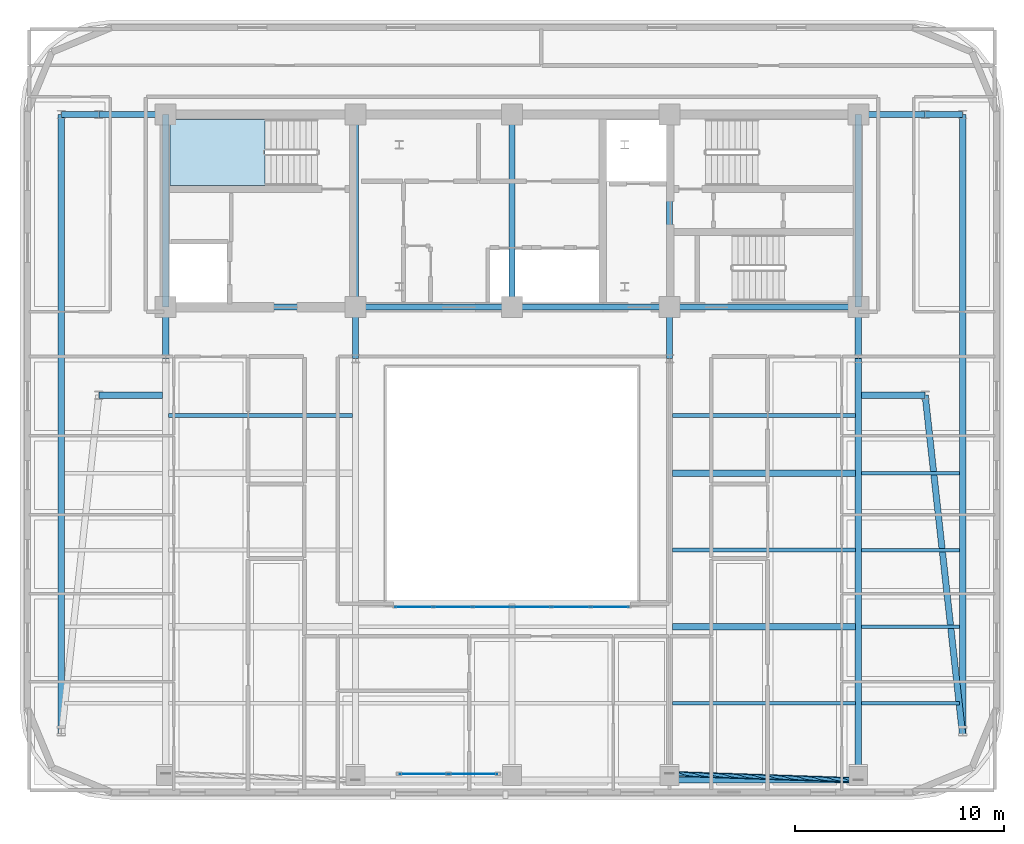
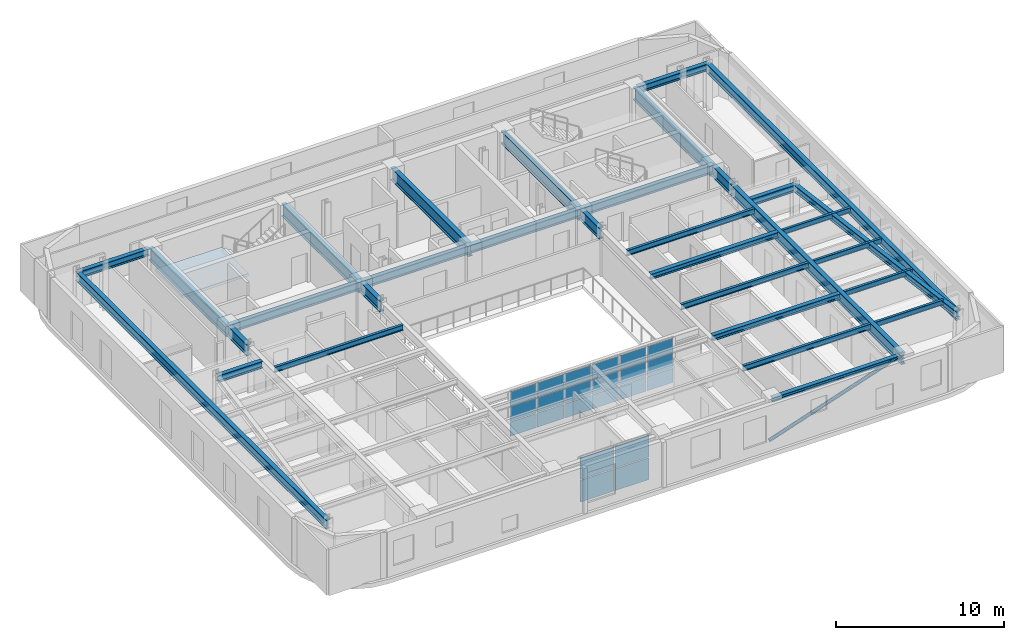
# One storey, part 3 of 14: 34 beams, 22 plates, 1 member, 1 slab, 3 elements without a shape of their own.
"""IFC4 building model written with IfcOpenShell, lengths in metres."""

from ifc_helpers import new_model, si_unit, direction, frame, origin, origin_2d, place, context, subcontext, project, spatial, polyline, rectangle, hollow_circle, i_section, outline, extrude, material, layer, layer_set, material_profile, profile_set, type_object, element, aggregate, save


model = new_model("IFC4")

# Units and contexts
model_context = context("Model", 3, precision=1e-05, world=origin(), true_north=direction((0.0, 1.0)))
body_context = subcontext(model_context, "Body", "Model", "MODEL_VIEW")
ifc_project = project(units=[si_unit("LENGTHUNIT", "METRE"), si_unit("AREAUNIT", "SQUARE_METRE"), si_unit("VOLUMEUNIT", "CUBIC_METRE"), si_unit("PLANEANGLEUNIT", "RADIAN"), si_unit("MASSUNIT", "GRAM", prefix="KILO")], contexts=[model_context])

# Site, building, storey
site_placement = place(None, origin())
site = spatial("IfcSite", under=ifc_project, at=site_placement, CompositionType="ELEMENT")
building_placement = place(site_placement, origin())
building = spatial("IfcBuilding", under=site, at=building_placement, Name="Zarnavel Station Tower", CompositionType="ELEMENT")
storey_placement = place(building_placement, frame((0.0, 0.0, 229.199951171875)))
storey = spatial("IfcBuildingStorey", under=building, at=storey_placement, Name="L62", CompositionType="ELEMENT", Elevation=229.199951171875)

# Member
ifc_material_1 = material(Name="Steel S355J2", Category="steel")
ifc_material_profile_1 = material_profile(ifc_material_1, hollow_circle(Radius=0.122314453125, WallThickness=0.010009765625, at=origin_2d()), Name="CHS244.5x10")
ifc_profile_set_1 = profile_set([ifc_material_profile_1], Name="Steel S355J2")
member_type = type_object("IfcMemberType", Name="DB_EXT_CHS245", PredefinedType="BRACE", material=ifc_profile_set_1)
member_placement = place(storey_placement, frame((36.35009765625, 5.4580078125, 0.0), z_axis=(0.937681259663, -0.031367345473, 0.3460779463), x_axis=(0.033433332735, 0.999440949863, 0.0)))
element("IfcMember", 1, at=member_placement, inside=storey, type_object=member_type, Name="L62 Persian Exterior Diagonal Frame Brace 2", PredefinedType="BRACE", context=body_context, shape_type="SweptSolid", body=[
    extrude(hollow_circle(Radius=0.122314453125, WallThickness=0.010009765625, at=origin_2d()), origin(), (0.0, 0.0, 1.0), 9.6513671875),
])

# Beams
ifc_material_2 = material(Name="Steel S355J2", Category="steel")
ifc_material_profile_2 = material_profile(ifc_material_2, i_section(OverallWidth=0.300048828125, OverallDepth=0.320068359375, WebThickness=0.011474609375, FlangeThickness=0.0205078125, FilletRadius=0.027099609375, at=origin_2d()), Name="HEB320")
ifc_profile_set_2 = profile_set([ifc_material_profile_2], Name="Steel S355J2")
beam_type_1 = type_object("IfcBeamType", Name="EB_HEB320", PredefinedType="SPANDREL", material=ifc_profile_set_2)
beam_1_placement = place(storey_placement, frame((36.35009765625, 5.1552734375, 3.179931640625), z_axis=(1.0, 0.0, 0.0), x_axis=(0.0, 1.0, 0.0)))
element("IfcBeam", 2, at=beam_1_placement, inside=storey, type_object=beam_type_1, Name="L62 South Raked Spandrel 4", PredefinedType="SPANDREL", context=body_context, shape_type="SweptSolid", body=[
    extrude(i_section(OverallWidth=0.300048828125, OverallDepth=0.320068359375, WebThickness=0.011474609375, FlangeThickness=0.0205078125, FilletRadius=0.027099609375, at=origin_2d()), origin(), (0.0, 0.0, 1.0), 9.0498046875),
])
ifc_material_3 = material(Name="Steel S355J2", Category="steel")
ifc_material_profile_3 = material_profile(ifc_material_3, i_section(OverallWidth=0.300048828125, OverallDepth=0.389892578125, WebThickness=0.010986328125, FlangeThickness=0.01904296875, FilletRadius=0.027099609375, at=origin_2d()), Name="HEA400")
ifc_profile_set_3 = profile_set([ifc_material_profile_3], Name="Steel S355J2")
beam_type_2 = type_object("IfcBeamType", Name="FB_HEA400", PredefinedType="BEAM", material=ifc_profile_set_3)
for number, where, z_axis, x_axis, name in (
    (3, (36.4951171875, 12.50341796875, 3.14501953125), (1.0, 0.0, 0.0), (0.0, 1.0, 0.0), "L62 East Bay Beam 2"),
    (4, (36.4951171875, 19.851806640625, 3.14501953125), (1.0, 0.0, 0.0), (0.0, 1.0, 0.0), "L62 East Bay Beam 4"),
):
    element("IfcBeam", number, at=place(storey_placement, frame(where, z_axis=z_axis, x_axis=x_axis)), inside=storey, type_object=beam_type_2, Name=name, PredefinedType="BEAM", context=body_context, shape_type="SweptSolid", body=[
        extrude(i_section(OverallWidth=0.300048828125, OverallDepth=0.389892578125, WebThickness=0.010986328125, FlangeThickness=0.01904296875, FilletRadius=0.027099609375, at=origin_2d()), origin(), (0.0, 0.0, 1.0), 8.759765625),
    ])
ifc_material_4 = material(Name="Steel S355J2", Category="steel")
ifc_material_profile_4 = material_profile(ifc_material_4, i_section(OverallWidth=0.179931640625, OverallDepth=0.39990234375, WebThickness=0.008544921875, FlangeThickness=0.013427734375, FilletRadius=0.02099609375, at=origin_2d()), Name="IPE400")
ifc_profile_set_4 = profile_set([ifc_material_profile_4], Name="Steel S355J2")
beam_type_3 = type_object("IfcBeamType", Name="FB_IPE400", PredefinedType="BEAM", material=ifc_profile_set_4)
for number, where, z_axis, x_axis, name in (
    (5, (36.4951171875, 8.829345703125, 3.14013671875), (1.0, 0.0, 0.0), (0.0, 1.0, 0.0), "L62 East Bay Beam 1"),
    (6, (36.4951171875, 16.177490234375, 3.14013671875), (1.0, 0.0, 0.0), (0.0, 1.0, 0.0), "L62 East Bay Beam 3"),
):
    element("IfcBeam", number, at=place(storey_placement, frame(where, z_axis=z_axis, x_axis=x_axis)), inside=storey, type_object=beam_type_3, Name=name, PredefinedType="BEAM", context=body_context, shape_type="SweptSolid", body=[
        extrude(i_section(OverallWidth=0.179931640625, OverallDepth=0.39990234375, WebThickness=0.008544921875, FlangeThickness=0.013427734375, FilletRadius=0.02099609375, at=origin_2d()), origin(), (0.0, 0.0, 1.0), 8.759765625),
    ])
beam_2_placement = place(storey_placement, frame((12.344970703125, 22.6259765625, 3.14013671875), z_axis=(1.0, 0.0, 0.0), x_axis=(0.0, 1.0, 0.0)))
element("IfcBeam", 7, at=beam_2_placement, inside=storey, type_object=beam_type_3, Name="L62 West Bay Beam 5", PredefinedType="BEAM", context=body_context, shape_type="SweptSolid", body=[
    extrude(i_section(OverallWidth=0.179931640625, OverallDepth=0.39990234375, WebThickness=0.008544921875, FlangeThickness=0.013427734375, FilletRadius=0.02099609375, at=origin_2d()), origin(), (0.0, 0.0, 1.0), 8.81005859375),
])
beam_3_placement = place(storey_placement, frame((36.4951171875, 22.6259765625, 3.14013671875), z_axis=(1.0, 0.0, 0.0), x_axis=(0.0, 1.0, 0.0)))
element("IfcBeam", 8, at=beam_3_placement, inside=storey, type_object=beam_type_3, Name="L62 East Bay Beam 5", PredefinedType="BEAM", context=body_context, shape_type="SweptSolid", body=[
    extrude(i_section(OverallWidth=0.179931640625, OverallDepth=0.39990234375, WebThickness=0.008544921875, FlangeThickness=0.013427734375, FilletRadius=0.02099609375, at=origin_2d()), origin(), (0.0, 0.0, 1.0), 8.759765625),
])
ifc_material_5 = material(Name="Steel S355J2", Category="steel")
ifc_material_profile_5 = material_profile(ifc_material_5, i_section(OverallWidth=0.300048828125, OverallDepth=0.5, WebThickness=0.014404296875, FlangeThickness=0.028076171875, FilletRadius=0.027099609375, at=origin_2d()), Name="HEB500")
ifc_profile_set_5 = profile_set([ifc_material_profile_5], Name="Steel S355J2")
beam_type_4 = type_object("IfcBeamType", Name="FG_HEB500", PredefinedType="USERDEFINED", material=ifc_profile_set_5)
beam_4_placement = place(storey_placement, frame((7.199951171875, 37.050048828125, 3.090087890625), z_axis=(1.0, 0.0, 0.0), x_axis=(0.0, 1.0, 0.0)))
element("IfcBeam", 9, at=beam_4_placement, inside=storey, type_object=beam_type_4, Name="L62 West Wing North Tie 1", ObjectType="GIRDER", PredefinedType="USERDEFINED", context=body_context, shape_type="SweptSolid", body=[
    extrude(i_section(OverallWidth=0.300048828125, OverallDepth=0.5, WebThickness=0.014404296875, FlangeThickness=0.028076171875, FilletRadius=0.027099609375, at=origin_2d()), origin(), (0.0, 0.0, 1.0), 1.800048828125),
])
for number, where, z_axis, x_axis, name in (
    (10, (9.0, 23.60009765625, 3.090087890625), (1.0, 0.0, 0.0), (0.0, 1.0, 0.0), "L62 West Wing South Tie 2"),
    (11, (9.0, 37.050048828125, 3.090087890625), (1.0, 0.0, 0.0), (0.0, 1.0, 0.0), "L62 West Wing North Tie 2"),
):
    element("IfcBeam", number, at=place(storey_placement, frame(where, z_axis=z_axis, x_axis=x_axis)), inside=storey, type_object=beam_type_4, Name=name, ObjectType="GIRDER", PredefinedType="USERDEFINED", context=body_context, shape_type="SweptSolid", body=[
        extrude(i_section(OverallWidth=0.300048828125, OverallDepth=0.5, WebThickness=0.014404296875, FlangeThickness=0.028076171875, FilletRadius=0.027099609375, at=origin_2d()), origin(), (0.0, 0.0, 1.0), 3.054931640625),
    ])
for number, where, z_axis, x_axis, name in (
    (12, (45.544921875, 23.60009765625, 3.090087890625), (1.0, 0.0, 0.0), (0.0, 1.0, 0.0), "L62 East Wing South Tie 1"),
    (13, (45.544921875, 37.050048828125, 3.090087890625), (1.0, 0.0, 0.0), (0.0, 1.0, 0.0), "L62 East Wing North Tie 1"),
):
    element("IfcBeam", number, at=place(storey_placement, frame(where, z_axis=z_axis, x_axis=x_axis)), inside=storey, type_object=beam_type_4, Name=name, ObjectType="GIRDER", PredefinedType="USERDEFINED", context=body_context, shape_type="SweptSolid", body=[
        extrude(i_section(OverallWidth=0.300048828125, OverallDepth=0.5, WebThickness=0.014404296875, FlangeThickness=0.028076171875, FilletRadius=0.027099609375, at=origin_2d()), origin(), (0.0, 0.0, 1.0), 3.05517578125),
    ])
beam_5_placement = place(storey_placement, frame((48.60009765625, 23.60009765625, 3.090087890625), z_axis=(0.109659257225, -0.993969238611, 0.0), x_axis=(0.993969238611, 0.109659257225, 0.0)))
element("IfcBeam", 14, at=beam_5_placement, inside=storey, type_object=beam_type_4, Name="L62 East Wing South Tie 2", ObjectType="GIRDER", PredefinedType="USERDEFINED", context=body_context, shape_type="SweptSolid", body=[
    extrude(i_section(OverallWidth=0.300048828125, OverallDepth=0.5, WebThickness=0.014404296875, FlangeThickness=0.028076171875, FilletRadius=0.027099609375, at=origin_2d()), origin(), (0.0, 0.0, 1.0), 16.41259765625),
])
beam_6_placement = place(storey_placement, frame((48.60009765625, 37.050048828125, 3.090087890625), z_axis=(1.0, 0.0, 0.0), x_axis=(0.0, 1.0, 0.0)))
element("IfcBeam", 15, at=beam_6_placement, inside=storey, type_object=beam_type_4, Name="L62 East Wing North Tie 2", ObjectType="GIRDER", PredefinedType="USERDEFINED", context=body_context, shape_type="SweptSolid", body=[
    extrude(i_section(OverallWidth=0.300048828125, OverallDepth=0.5, WebThickness=0.014404296875, FlangeThickness=0.028076171875, FilletRadius=0.027099609375, at=origin_2d()), origin(), (0.0, 0.0, 1.0), 1.7998046875),
])
ifc_material_6 = material(Name="Steel S355J2", Category="steel")
ifc_material_profile_6 = material_profile(ifc_material_6, i_section(OverallWidth=0.300048828125, OverallDepth=0.60009765625, WebThickness=0.015380859375, FlangeThickness=0.030029296875, FilletRadius=0.027099609375, at=origin_2d()), Name="HEB600")
ifc_profile_set_6 = profile_set([ifc_material_profile_6], Name="Steel S355J2")
beam_type_5 = type_object("IfcBeamType", Name="FG_HEB600", PredefinedType="USERDEFINED", material=ifc_profile_set_6)
beam_7_placement = place(storey_placement, frame((12.199951171875, 27.820068359375, 3.0400390625), z_axis=(1.0, 0.0, 0.0), x_axis=(0.0, 1.0, 0.0)))
element("IfcBeam", 16, at=beam_7_placement, inside=storey, type_object=beam_type_5, Name="L62 Core Front Coupling Beam 1", ObjectType="GIRDER", PredefinedType="USERDEFINED", context=body_context, shape_type="SweptSolid", body=[
    extrude(i_section(OverallWidth=0.300048828125, OverallDepth=0.60009765625, WebThickness=0.015380859375, FlangeThickness=0.030029296875, FilletRadius=0.027099609375, at=origin_2d()), origin(), (0.0, 0.0, 1.0), 9.10009765625),
])
beam_8_placement = place(storey_placement, frame((21.300048828125, 27.820068359375, 3.0400390625), z_axis=(1.0, 0.0, 0.0), x_axis=(0.0, 1.0, 0.0)))
element("IfcBeam", 17, at=beam_8_placement, inside=storey, type_object=beam_type_5, Name="L62 Core Front Coupling Beam 2", ObjectType="GIRDER", PredefinedType="USERDEFINED", context=body_context, shape_type="SweptSolid", body=[
    extrude(i_section(OverallWidth=0.300048828125, OverallDepth=0.60009765625, WebThickness=0.015380859375, FlangeThickness=0.030029296875, FilletRadius=0.027099609375, at=origin_2d()), origin(), (0.0, 0.0, 1.0), 7.5),
])
beam_9_placement = place(storey_placement, frame((28.800048828125, 27.820068359375, 3.0400390625), z_axis=(1.0, 0.0, 0.0), x_axis=(0.0, 1.0, 0.0)))
element("IfcBeam", 18, at=beam_9_placement, inside=storey, type_object=beam_type_5, Name="L62 Core Front Coupling Beam 3", ObjectType="GIRDER", PredefinedType="USERDEFINED", context=body_context, shape_type="SweptSolid", body=[
    extrude(i_section(OverallWidth=0.300048828125, OverallDepth=0.60009765625, WebThickness=0.015380859375, FlangeThickness=0.030029296875, FilletRadius=0.027099609375, at=origin_2d()), origin(), (0.0, 0.0, 1.0), 7.550048828125),
])
beam_10_placement = place(storey_placement, frame((36.35009765625, 27.820068359375, 3.0400390625), z_axis=(1.0, 0.0, 0.0), x_axis=(0.0, 1.0, 0.0)))
element("IfcBeam", 19, at=beam_10_placement, inside=storey, type_object=beam_type_5, Name="L62 Core Front Coupling Beam 4", ObjectType="GIRDER", PredefinedType="USERDEFINED", context=body_context, shape_type="SweptSolid", body=[
    extrude(i_section(OverallWidth=0.300048828125, OverallDepth=0.60009765625, WebThickness=0.015380859375, FlangeThickness=0.030029296875, FilletRadius=0.027099609375, at=origin_2d()), origin(), (0.0, 0.0, 1.0), 9.0498046875),
])
ifc_material_7 = material(Name="Steel S355J2", Category="steel")
ifc_material_profile_7 = material_profile(ifc_material_7, i_section(OverallWidth=0.300048828125, OverallDepth=0.64990234375, WebThickness=0.01611328125, FlangeThickness=0.031005859375, FilletRadius=0.027099609375, at=origin_2d()), Name="HEB650")
ifc_profile_set_7 = profile_set([ifc_material_profile_7], Name="Steel S355J2")
beam_type_6 = type_object("IfcBeamType", Name="FG_HEB650", PredefinedType="USERDEFINED", material=ifc_profile_set_7)
for number, where, z_axis, x_axis, name in (
    (20, (7.199951171875, 7.286376953125, 3.01513671875), (0.0, 1.0, 0.0), (-1.0, 0.0, 0.0), "L62 Wing NS Girder 1"),
    (21, (50.39990234375, 7.286376953125, 3.01513671875), (0.0, 1.0, 0.0), (-1.0, 0.0, 0.0), "L62 Wing NS Girder 2"),
):
    element("IfcBeam", number, at=place(storey_placement, frame(where, z_axis=z_axis, x_axis=x_axis)), inside=storey, type_object=beam_type_6, Name=name, ObjectType="GIRDER", PredefinedType="USERDEFINED", context=body_context, shape_type="SweptSolid", body=[
        extrude(i_section(OverallWidth=0.300048828125, OverallDepth=0.64990234375, WebThickness=0.01611328125, FlangeThickness=0.031005859375, FilletRadius=0.027099609375, at=origin_2d()), origin(), (0.0, 0.0, 1.0), 29.763671875),
    ])
ifc_material_8 = material(Name="Steel S355J2", Category="steel")
ifc_material_profile_8 = material_profile(ifc_material_8, i_section(OverallWidth=0.300048828125, OverallDepth=0.800048828125, WebThickness=0.017578125, FlangeThickness=0.032958984375, FilletRadius=0.030029296875, at=origin_2d()), Name="HEB800")
ifc_profile_set_8 = profile_set([ifc_material_profile_8], Name="Steel S355J2")
beam_type_7 = type_object("IfcBeamType", Name="FG_HEB800", PredefinedType="USERDEFINED", material=ifc_profile_set_8)
for number, where, z_axis, x_axis, name in (
    (22, (12.199951171875, 25.35009765625, 2.93994140625), (0.0, 1.0, 0.0), (-1.0, 0.0, 0.0), "L62 Inner-Zone NS Girder 1"),
    (23, (21.300048828125, 25.35009765625, 2.93994140625), (0.0, 1.0, 0.0), (-1.0, 0.0, 0.0), "L62 Inner-Zone NS Girder 2"),
    (24, (36.35009765625, 25.35009765625, 2.93994140625), (0.0, 1.0, 0.0), (-1.0, 0.0, 0.0), "L62 Inner-Zone NS Girder 4"),
):
    element("IfcBeam", number, at=place(storey_placement, frame(where, z_axis=z_axis, x_axis=x_axis)), inside=storey, type_object=beam_type_7, Name=name, ObjectType="GIRDER", PredefinedType="USERDEFINED", context=body_context, shape_type="SweptSolid", body=[
        extrude(i_section(OverallWidth=0.300048828125, OverallDepth=0.800048828125, WebThickness=0.017578125, FlangeThickness=0.032958984375, FilletRadius=0.030029296875, at=origin_2d()), origin(), (0.0, 0.0, 1.0), 2.469970703125),
    ])
beam_11_placement = place(storey_placement, frame((45.39990234375, 5.1552734375, 2.93994140625), z_axis=(0.0, 1.0, 0.0), x_axis=(-1.0, 0.0, 0.0)))
element("IfcBeam", 25, at=beam_11_placement, inside=storey, type_object=beam_type_7, Name="L62 South-Zone NS Girder 5", ObjectType="GIRDER", PredefinedType="USERDEFINED", context=body_context, shape_type="SweptSolid", body=[
    extrude(i_section(OverallWidth=0.300048828125, OverallDepth=0.800048828125, WebThickness=0.017578125, FlangeThickness=0.032958984375, FilletRadius=0.030029296875, at=origin_2d()), origin(), (0.0, 0.0, 1.0), 20.19482421875),
])
beam_12_placement = place(storey_placement, frame((45.39990234375, 25.35009765625, 2.93994140625), z_axis=(0.0, 1.0, 0.0), x_axis=(-1.0, 0.0, 0.0)))
element("IfcBeam", 26, at=beam_12_placement, inside=storey, type_object=beam_type_7, Name="L62 Inner-Zone NS Girder 5", ObjectType="GIRDER", PredefinedType="USERDEFINED", context=body_context, shape_type="SweptSolid", body=[
    extrude(i_section(OverallWidth=0.300048828125, OverallDepth=0.800048828125, WebThickness=0.017578125, FlangeThickness=0.032958984375, FilletRadius=0.030029296875, at=origin_2d()), origin(), (0.0, 0.0, 1.0), 2.469970703125),
])
ifc_material_9 = material(Name="Steel S355J2", Category="steel")
ifc_material_profile_9 = material_profile(ifc_material_9, i_section(OverallWidth=0.169921875, OverallDepth=0.360107421875, WebThickness=0.008056640625, FlangeThickness=0.0126953125, FilletRadius=0.01806640625, at=origin_2d()), Name="IPE360")
ifc_profile_set_9 = profile_set([ifc_material_profile_9], Name="Steel S355J2")
beam_type_8 = type_object("IfcBeamType", Name="FJ_IPE360", PredefinedType="JOIST", material=ifc_profile_set_9)
for number, where, z_axis, x_axis, name in (
    (27, (45.544921875, 8.829345703125, 3.16015625), (1.0, 0.0, 0.0), (0.0, 1.0, 0.0), "L62 East Wing Joist 1"),
    (28, (45.544921875, 12.50341796875, 3.16015625), (1.0, 0.0, 0.0), (0.0, 1.0, 0.0), "L62 East Wing Joist 2"),
    (29, (45.544921875, 16.177490234375, 3.16015625), (1.0, 0.0, 0.0), (0.0, 1.0, 0.0), "L62 East Wing Joist 3"),
    (30, (45.544921875, 19.851806640625, 3.16015625), (1.0, 0.0, 0.0), (0.0, 1.0, 0.0), "L62 East Wing Joist 4"),
):
    element("IfcBeam", number, at=place(storey_placement, frame(where, z_axis=z_axis, x_axis=x_axis)), inside=storey, type_object=beam_type_8, Name=name, PredefinedType="JOIST", context=body_context, shape_type="SweptSolid", body=[
        extrude(i_section(OverallWidth=0.169921875, OverallDepth=0.360107421875, WebThickness=0.008056640625, FlangeThickness=0.0126953125, FilletRadius=0.01806640625, at=origin_2d()), origin(), (0.0, 0.0, 1.0), 4.7099609375),
    ])
ifc_material_10 = material(Name="Steel S460M", Category="steel")
ifc_material_profile_10 = material_profile(ifc_material_10, i_section(OverallWidth=0.302001953125, OverallDepth=0.909912109375, WebThickness=0.02099609375, FlangeThickness=0.0400390625, FilletRadius=0.030029296875, at=origin_2d()), Name="HEM900")
ifc_profile_set_10 = profile_set([ifc_material_profile_10], Name="Steel S460M")
beam_type_9 = type_object("IfcBeamType", Name="TG_HEM900", PredefinedType="USERDEFINED", material=ifc_profile_set_10)
for number, where, z_axis, x_axis, name in (
    (31, (12.199951171875, 27.820068359375, 2.885009765625), (0.0, 1.0, 0.0), (-1.0, 0.0, 0.0), "L62 Core Spine Coupling Girder 1"),
    (32, (21.300048828125, 27.820068359375, 2.885009765625), (0.0, 1.0, 0.0), (-1.0, 0.0, 0.0), "L62 Core Spine Coupling Girder 2"),
    (33, (28.800048828125, 27.820068359375, 2.885009765625), (0.0, 1.0, 0.0), (-1.0, 0.0, 0.0), "L62 Core Spine Coupling Girder 3"),
    (34, (36.35009765625, 27.820068359375, 2.885009765625), (0.0, 1.0, 0.0), (-1.0, 0.0, 0.0), "L62 Core Spine Coupling Girder 4"),
    (35, (45.39990234375, 27.820068359375, 2.885009765625), (0.0, 1.0, 0.0), (-1.0, 0.0, 0.0), "L62 Core Spine Coupling Girder 5"),
):
    element("IfcBeam", number, at=place(storey_placement, frame(where, z_axis=z_axis, x_axis=x_axis)), inside=storey, type_object=beam_type_9, Name=name, ObjectType="GIRDER", PredefinedType="USERDEFINED", context=body_context, shape_type="SweptSolid", body=[
        extrude(i_section(OverallWidth=0.302001953125, OverallDepth=0.909912109375, WebThickness=0.02099609375, FlangeThickness=0.0400390625, FilletRadius=0.030029296875, at=origin_2d()), origin(), (0.0, 0.0, 1.0), 9.22998046875),
    ])

# Curtain wall, plates
ifc_material_11 = material(Name="Aluminium Dark Anodised and Solar-Control Glass", Category="aluminium")
ifc_layer_1 = layer(ifc_material_11, 0.179931640625)
ifc_layer_set_1 = layer_set([ifc_layer_1], Name="CWS5")
curtain_wall_type_1 = type_object("IfcCurtainWallType", Name="CWS5", PredefinedType="NOTDEFINED", material=ifc_layer_set_1)
curtain_wall_1_placement = place(storey_placement, origin())
curtain_wall_1 = element("IfcCurtainWall", 36, at=curtain_wall_1_placement, inside=storey, type_object=curtain_wall_type_1, Name="L62 Curtain Wall CWS5-L62-AS", PredefinedType="NOTDEFINED")
ifc_material_12 = material(Name="Double Low-E Dark Solar-Control Glass", Category="glass")
ifc_layer_2 = layer(ifc_material_12, 0.033935546875)
ifc_layer_set_2 = layer_set([ifc_layer_2], Name="CWS5_PNL")
plate_type_1 = type_object("IfcPlateType", Name="CWS5_PNL", PredefinedType="CURTAIN_PANEL", material=ifc_layer_set_2)
plate_1_placement = place(storey_placement, frame((24.106689453125, 13.449951171875, 0.06005859375), z_axis=(0.0, 0.0, 1.0), x_axis=(1.0, 0.0, 0.0)))
plate_1 = element("IfcPlate", 37, at=plate_1_placement, type_object=plate_type_1, Name="CW5 panel 1.1", PredefinedType="CURTAIN_PANEL", context=body_context, shape_type="SweptSolid", body=[
    extrude(rectangle(XDim=1.793212890625, YDim=0.028076171875, at=origin_2d()), origin(), (0.0, 0.0, 1.0), 1.023193359375),
])
plate_2_placement = place(storey_placement, frame((24.106689453125, 13.449951171875, 1.1435546875), z_axis=(0.0, 0.0, 1.0), x_axis=(1.0, 0.0, 0.0)))
plate_2 = element("IfcPlate", 38, at=plate_2_placement, type_object=plate_type_1, Name="CW5 panel 1.2", PredefinedType="CURTAIN_PANEL", context=body_context, shape_type="SweptSolid", body=[
    extrude(rectangle(XDim=1.793212890625, YDim=0.028076171875, at=origin_2d()), origin(), (0.0, 0.0, 1.0), 1.053466796875),
])
plate_3_placement = place(storey_placement, frame((24.106689453125, 13.449951171875, 2.2568359375), z_axis=(0.0, 0.0, 1.0), x_axis=(1.0, 0.0, 0.0)))
plate_3 = element("IfcPlate", 39, at=plate_3_placement, type_object=plate_type_1, Name="CW5 panel 1.3", PredefinedType="CURTAIN_PANEL", context=body_context, shape_type="SweptSolid", body=[
    extrude(rectangle(XDim=1.793212890625, YDim=0.028076171875, at=origin_2d()), origin(), (0.0, 0.0, 1.0), 1.023193359375),
])
plate_4_placement = place(storey_placement, frame((25.97509765625, 13.449951171875, 0.06005859375), z_axis=(0.0, 0.0, 1.0), x_axis=(1.0, 0.0, 0.0)))
plate_4 = element("IfcPlate", 40, at=plate_4_placement, type_object=plate_type_1, Name="CW5 panel 2.1", PredefinedType="CURTAIN_PANEL", context=body_context, shape_type="SweptSolid", body=[
    extrude(rectangle(XDim=1.8232421875, YDim=0.028076171875, at=origin_2d()), origin(), (0.0, 0.0, 1.0), 1.023193359375),
])
plate_5_placement = place(storey_placement, frame((25.97509765625, 13.449951171875, 1.1435546875), z_axis=(0.0, 0.0, 1.0), x_axis=(1.0, 0.0, 0.0)))
plate_5 = element("IfcPlate", 41, at=plate_5_placement, type_object=plate_type_1, Name="CW5 panel 2.2", PredefinedType="CURTAIN_PANEL", context=body_context, shape_type="SweptSolid", body=[
    extrude(rectangle(XDim=1.8232421875, YDim=0.028076171875, at=origin_2d()), origin(), (0.0, 0.0, 1.0), 1.053466796875),
])
plate_6_placement = place(storey_placement, frame((25.97509765625, 13.449951171875, 2.2568359375), z_axis=(0.0, 0.0, 1.0), x_axis=(1.0, 0.0, 0.0)))
plate_6 = element("IfcPlate", 42, at=plate_6_placement, type_object=plate_type_1, Name="CW5 panel 2.3", PredefinedType="CURTAIN_PANEL", context=body_context, shape_type="SweptSolid", body=[
    extrude(rectangle(XDim=1.8232421875, YDim=0.028076171875, at=origin_2d()), origin(), (0.0, 0.0, 1.0), 1.023193359375),
])
plate_7_placement = place(storey_placement, frame((27.8583984375, 13.449951171875, 0.06005859375), z_axis=(0.0, 0.0, 1.0), x_axis=(1.0, 0.0, 0.0)))
plate_7 = element("IfcPlate", 43, at=plate_7_placement, type_object=plate_type_1, Name="CW5 panel 3.1", PredefinedType="CURTAIN_PANEL", context=body_context, shape_type="SweptSolid", body=[
    extrude(rectangle(XDim=1.8232421875, YDim=0.028076171875, at=origin_2d()), origin(), (0.0, 0.0, 1.0), 1.023193359375),
])
plate_8_placement = place(storey_placement, frame((27.8583984375, 13.449951171875, 1.1435546875), z_axis=(0.0, 0.0, 1.0), x_axis=(1.0, 0.0, 0.0)))
plate_8 = element("IfcPlate", 44, at=plate_8_placement, type_object=plate_type_1, Name="CW5 panel 3.2", PredefinedType="CURTAIN_PANEL", context=body_context, shape_type="SweptSolid", body=[
    extrude(rectangle(XDim=1.8232421875, YDim=0.028076171875, at=origin_2d()), origin(), (0.0, 0.0, 1.0), 1.053466796875),
])
plate_9_placement = place(storey_placement, frame((27.8583984375, 13.449951171875, 2.2568359375), z_axis=(0.0, 0.0, 1.0), x_axis=(1.0, 0.0, 0.0)))
plate_9 = element("IfcPlate", 45, at=plate_9_placement, type_object=plate_type_1, Name="CW5 panel 3.3", PredefinedType="CURTAIN_PANEL", context=body_context, shape_type="SweptSolid", body=[
    extrude(rectangle(XDim=1.8232421875, YDim=0.028076171875, at=origin_2d()), origin(), (0.0, 0.0, 1.0), 1.023193359375),
])
plate_10_placement = place(storey_placement, frame((29.74169921875, 13.449951171875, 0.06005859375), z_axis=(0.0, 0.0, 1.0), x_axis=(1.0, 0.0, 0.0)))
plate_10 = element("IfcPlate", 46, at=plate_10_placement, type_object=plate_type_1, Name="CW5 panel 4.1", PredefinedType="CURTAIN_PANEL", context=body_context, shape_type="SweptSolid", body=[
    extrude(rectangle(XDim=1.8232421875, YDim=0.028076171875, at=origin_2d()), origin(), (0.0, 0.0, 1.0), 1.023193359375),
])
plate_11_placement = place(storey_placement, frame((29.74169921875, 13.449951171875, 1.1435546875), z_axis=(0.0, 0.0, 1.0), x_axis=(1.0, 0.0, 0.0)))
plate_11 = element("IfcPlate", 47, at=plate_11_placement, type_object=plate_type_1, Name="CW5 panel 4.2", PredefinedType="CURTAIN_PANEL", context=body_context, shape_type="SweptSolid", body=[
    extrude(rectangle(XDim=1.8232421875, YDim=0.028076171875, at=origin_2d()), origin(), (0.0, 0.0, 1.0), 1.053466796875),
])
plate_12_placement = place(storey_placement, frame((29.74169921875, 13.449951171875, 2.2568359375), z_axis=(0.0, 0.0, 1.0), x_axis=(1.0, 0.0, 0.0)))
plate_12 = element("IfcPlate", 48, at=plate_12_placement, type_object=plate_type_1, Name="CW5 panel 4.3", PredefinedType="CURTAIN_PANEL", context=body_context, shape_type="SweptSolid", body=[
    extrude(rectangle(XDim=1.8232421875, YDim=0.028076171875, at=origin_2d()), origin(), (0.0, 0.0, 1.0), 1.023193359375),
])
plate_13_placement = place(storey_placement, frame((31.625, 13.449951171875, 0.06005859375), z_axis=(0.0, 0.0, 1.0), x_axis=(1.0, 0.0, 0.0)))
plate_13 = element("IfcPlate", 49, at=plate_13_placement, type_object=plate_type_1, Name="CW5 panel 5.1", PredefinedType="CURTAIN_PANEL", context=body_context, shape_type="SweptSolid", body=[
    extrude(rectangle(XDim=1.8232421875, YDim=0.028076171875, at=origin_2d()), origin(), (0.0, 0.0, 1.0), 1.023193359375),
])
plate_14_placement = place(storey_placement, frame((31.625, 13.449951171875, 1.1435546875), z_axis=(0.0, 0.0, 1.0), x_axis=(1.0, 0.0, 0.0)))
plate_14 = element("IfcPlate", 50, at=plate_14_placement, type_object=plate_type_1, Name="CW5 panel 5.2", PredefinedType="CURTAIN_PANEL", context=body_context, shape_type="SweptSolid", body=[
    extrude(rectangle(XDim=1.8232421875, YDim=0.028076171875, at=origin_2d()), origin(), (0.0, 0.0, 1.0), 1.053466796875),
])
plate_15_placement = place(storey_placement, frame((31.625, 13.449951171875, 2.2568359375), z_axis=(0.0, 0.0, 1.0), x_axis=(1.0, 0.0, 0.0)))
plate_15 = element("IfcPlate", 51, at=plate_15_placement, type_object=plate_type_1, Name="CW5 panel 5.3", PredefinedType="CURTAIN_PANEL", context=body_context, shape_type="SweptSolid", body=[
    extrude(rectangle(XDim=1.8232421875, YDim=0.028076171875, at=origin_2d()), origin(), (0.0, 0.0, 1.0), 1.023193359375),
])
plate_16_placement = place(storey_placement, frame((33.493408203125, 13.449951171875, 0.06005859375), z_axis=(0.0, 0.0, 1.0), x_axis=(1.0, 0.0, 0.0)))
plate_16 = element("IfcPlate", 52, at=plate_16_placement, type_object=plate_type_1, Name="CW5 panel 6.1", PredefinedType="CURTAIN_PANEL", context=body_context, shape_type="SweptSolid", body=[
    extrude(rectangle(XDim=1.793212890625, YDim=0.028076171875, at=origin_2d()), origin(), (0.0, 0.0, 1.0), 1.023193359375),
])
plate_17_placement = place(storey_placement, frame((33.493408203125, 13.449951171875, 1.1435546875), z_axis=(0.0, 0.0, 1.0), x_axis=(1.0, 0.0, 0.0)))
plate_17 = element("IfcPlate", 53, at=plate_17_placement, type_object=plate_type_1, Name="CW5 panel 6.2", PredefinedType="CURTAIN_PANEL", context=body_context, shape_type="SweptSolid", body=[
    extrude(rectangle(XDim=1.793212890625, YDim=0.028076171875, at=origin_2d()), origin(), (0.0, 0.0, 1.0), 1.053466796875),
])
plate_18_placement = place(storey_placement, frame((33.493408203125, 13.449951171875, 2.2568359375), z_axis=(0.0, 0.0, 1.0), x_axis=(1.0, 0.0, 0.0)))
plate_18 = element("IfcPlate", 54, at=plate_18_placement, type_object=plate_type_1, Name="CW5 panel 6.3", PredefinedType="CURTAIN_PANEL", context=body_context, shape_type="SweptSolid", body=[
    extrude(rectangle(XDim=1.793212890625, YDim=0.028076171875, at=origin_2d()), origin(), (0.0, 0.0, 1.0), 1.023193359375),
])
aggregate(curtain_wall_1, [plate_1, plate_2, plate_3, plate_4, plate_5, plate_6, plate_7, plate_8, plate_9, plate_10, plate_11, plate_12, plate_13, plate_14, plate_15, plate_16, plate_17, plate_18])

ifc_material_13 = material(Name="Aluminium Dark Anodised and Solar-Control Glass", Category="aluminium")
ifc_layer_3 = layer(ifc_material_13, 0.179931640625)
ifc_layer_set_3 = layer_set([ifc_layer_3], Name="CWS6")
curtain_wall_type_2 = type_object("IfcCurtainWallType", Name="CWS6", PredefinedType="NOTDEFINED", material=ifc_layer_set_3)
curtain_wall_2_placement = place(storey_placement, origin())
curtain_wall_2 = element("IfcCurtainWall", 55, at=curtain_wall_2_placement, inside=storey, type_object=curtain_wall_type_2, Name="L62 Curtain Wall CWS6-LOG-L62", PredefinedType="NOTDEFINED")
ifc_material_14 = material(Name="Double Low-E Dark Solar-Control Glass", Category="glass")
ifc_layer_4 = layer(ifc_material_14, 0.0380859375)
ifc_layer_set_4 = layer_set([ifc_layer_4], Name="CWS6_PNL")
plate_type_2 = type_object("IfcPlateType", Name="CWS6_PNL", PredefinedType="CURTAIN_PANEL", material=ifc_layer_set_4)
plate_19_placement = place(storey_placement, frame((24.56640625, 5.449951171875, 0.06005859375), z_axis=(0.0, 0.0, 1.0), x_axis=(1.0, 0.0, 0.0)))
plate_19 = element("IfcPlate", 56, at=plate_19_placement, type_object=plate_type_2, Name="CW6 panel 1.1", PredefinedType="CURTAIN_PANEL", context=body_context, shape_type="SweptSolid", body=[
    extrude(rectangle(XDim=2.31298828125, YDim=0.028076171875, at=origin_2d()), origin(), (0.0, 0.0, 1.0), 1.580078125),
])
plate_20_placement = place(storey_placement, frame((24.56640625, 5.449951171875, 1.699951171875), z_axis=(0.0, 0.0, 1.0), x_axis=(1.0, 0.0, 0.0)))
plate_20 = element("IfcPlate", 57, at=plate_20_placement, type_object=plate_type_2, Name="CW6 panel 1.2", PredefinedType="CURTAIN_PANEL", context=body_context, shape_type="SweptSolid", body=[
    extrude(rectangle(XDim=2.31298828125, YDim=0.028076171875, at=origin_2d()), origin(), (0.0, 0.0, 1.0), 1.580078125),
])
plate_21_placement = place(storey_placement, frame((26.939453125, 5.449951171875, 0.06005859375), z_axis=(0.0, 0.0, 1.0), x_axis=(1.0, 0.0, 0.0)))
plate_21 = element("IfcPlate", 58, at=plate_21_placement, type_object=plate_type_2, Name="CW6 panel 2.1", PredefinedType="CURTAIN_PANEL", context=body_context, shape_type="SweptSolid", body=[
    extrude(rectangle(XDim=2.31298828125, YDim=0.028076171875, at=origin_2d()), origin(), (0.0, 0.0, 1.0), 1.580078125),
])
plate_22_placement = place(storey_placement, frame((26.939453125, 5.449951171875, 1.699951171875), z_axis=(0.0, 0.0, 1.0), x_axis=(1.0, 0.0, 0.0)))
plate_22 = element("IfcPlate", 59, at=plate_22_placement, type_object=plate_type_2, Name="CW6 panel 2.2", PredefinedType="CURTAIN_PANEL", context=body_context, shape_type="SweptSolid", body=[
    extrude(rectangle(XDim=2.31298828125, YDim=0.028076171875, at=origin_2d()), origin(), (0.0, 0.0, 1.0), 1.580078125),
])
aggregate(curtain_wall_2, [plate_19, plate_20, plate_21, plate_22])

# Stair, slab
ifc_material_15 = material(Name="Concrete C45/55", Category="concrete")
stair_type = type_object("IfcStairType", Name="ST_CORE_150", PredefinedType="HALF_TURN_STAIR", material=ifc_material_15)
stair_placement = place(storey_placement, origin())
stair = element("IfcStair", 60, at=stair_placement, inside=storey, type_object=stair_type, Name="L62 Core Exit Stair ST1", PredefinedType="HALF_TURN_STAIR")
ifc_material_16 = material(Name="Concrete C45/55", Category="concrete")
ifc_layer_5 = layer(ifc_material_16, 0.199951171875)
ifc_layer_set_5 = layer_set([ifc_layer_5], Name="SL_STAIR_LAND_200")
slab_type = type_object("IfcSlabType", Name="SL_STAIR_LAND_200", PredefinedType="LANDING", material=ifc_layer_set_5)
slab_placement = place(storey_placement, frame((0.0, 0.0, 1.60009765625)))
slab = element("IfcSlab", 61, at=slab_placement, type_object=slab_type, Name="ST1 landing 1", PredefinedType="LANDING", context=body_context, shape_type="SweptSolid", body=[
    extrude(outline(polyline([(16.9599609375, 36.820068359375), (12.39990234375, 36.820068359375), (12.39990234375, 33.659912109375), (16.9599609375, 33.659912109375), (16.9599609375, 36.820068359375)])), origin(), (0.0, 0.0, 1.0), 0.199951171875),
])
aggregate(stair, [slab])

save(model, "model.ifc")
